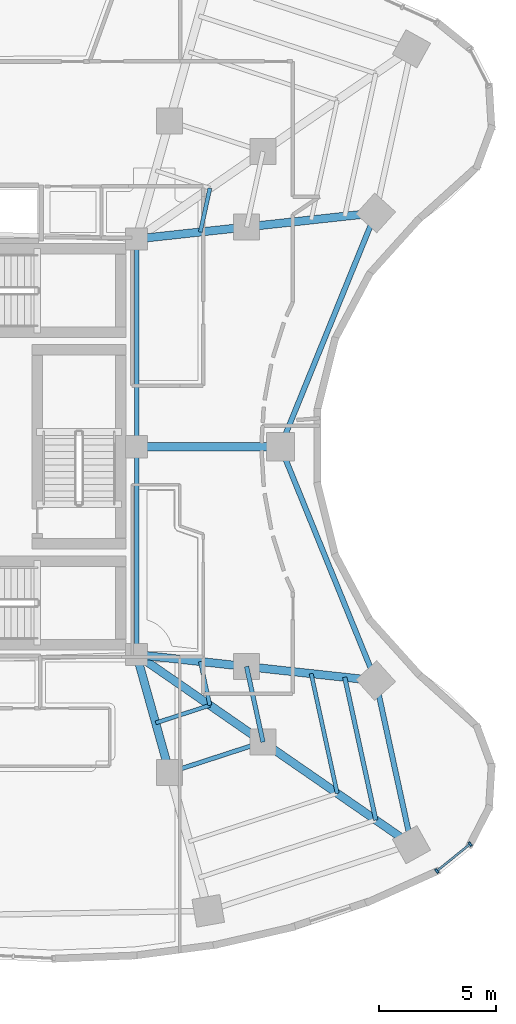
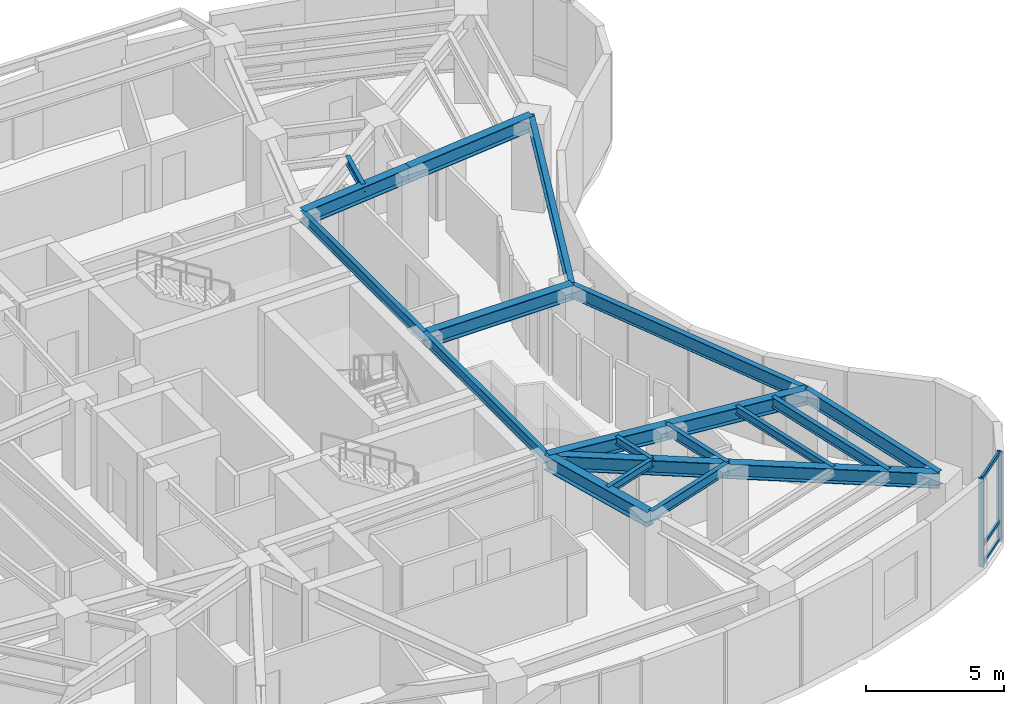
# One storey, part 4 of 15: 20 beams, 5 members, 1 element without a shape of its own.
"""IFC4 building model written with IfcOpenShell, lengths in metres."""

from ifc_helpers import new_model, si_unit, direction, frame, origin, origin_2d, place, context, subcontext, project, spatial, rectangle, i_section, extrude, material, layer, layer_set, material_profile, profile_set, type_object, element, aggregate, save


model = new_model("IFC4")

# Units and contexts
model_context = context("Model", 3, precision=1e-05, world=origin(), true_north=direction((0.0, 1.0)))
body_context = subcontext(model_context, "Body", "Model", "MODEL_VIEW")
ifc_project = project(units=[si_unit("LENGTHUNIT", "METRE"), si_unit("AREAUNIT", "SQUARE_METRE"), si_unit("VOLUMEUNIT", "CUBIC_METRE"), si_unit("PLANEANGLEUNIT", "RADIAN"), si_unit("MASSUNIT", "GRAM", prefix="KILO")], contexts=[model_context])

# Site, building, storey
site_placement = place(None, origin())
site = spatial("IfcSite", under=ifc_project, at=site_placement, CompositionType="ELEMENT")
building_placement = place(site_placement, origin())
building = spatial("IfcBuilding", under=site, at=building_placement, Name="Korentha Bioscience Tower", CompositionType="ELEMENT")
storey_placement = place(building_placement, frame((0.0, 0.0, 127.800048828125)))
storey = spatial("IfcBuildingStorey", under=building, at=storey_placement, Name="L29", CompositionType="ELEMENT", Elevation=127.800048828125)

# Beams
ifc_material_1 = material(Name="Steel S355", Category="steel")
ifc_material_profile_1 = material_profile(ifc_material_1, i_section(OverallWidth=0.18994140625, OverallDepth=0.45703125, WebThickness=0.009033203125, FlangeThickness=0.014404296875, at=origin_2d()), Name="Steel S355")
ifc_profile_set_1 = profile_set([ifc_material_profile_1], Name="Steel S355 (MB-460)")
beam_type_1 = type_object("IfcBeamType", Name="Mid-Ring Tie Girder W460x74", PredefinedType="BEAM", material=ifc_profile_set_1)
beam_1_placement = place(storey_placement, frame((38.954833984375, 13.129150390625, 3.67138671875), z_axis=(0.95087582253, 0.309572560361, 0.0), x_axis=(-0.309572560361, 0.95087582253, 0.0)))
element("IfcBeam", 1, at=beam_1_placement, inside=storey, type_object=beam_type_1, Name="L29 Mid-Ring Tie Girder 12", PredefinedType="BEAM", context=body_context, shape_type="SweptSolid", body=[
    extrude(i_section(OverallWidth=0.18994140625, OverallDepth=0.45703125, WebThickness=0.009033203125, FlangeThickness=0.014404296875, at=origin_2d()), origin(), (0.0, 0.0, 1.0), 4.186767578125),
])
beam_2_placement = place(storey_placement, frame((42.93603515625, 14.42529296875, 3.67138671875), z_axis=(-0.212928773299, 0.977067724112, 0.0), x_axis=(-0.977067724112, -0.212928773299, 0.0)))
element("IfcBeam", 2, at=beam_2_placement, inside=storey, type_object=beam_type_1, Name="L29 Mid-Ring Tie Girder 13", PredefinedType="BEAM", context=body_context, shape_type="SweptSolid", body=[
    extrude(i_section(OverallWidth=0.18994140625, OverallDepth=0.45703125, WebThickness=0.009033203125, FlangeThickness=0.014404296875, at=origin_2d()), origin(), (0.0, 0.0, 1.0), 3.28955078125),
])
for number, where, z_axis, x_axis, name in (
    (3, (37.550048828125, 18.14990234375, 3.67138671875), (0.0, 1.0, 0.0), (-1.0, 0.0, 0.0), "L29 Core Ring Tie Girder 06"),
    (4, (37.550048828125, 27.0, 3.67138671875), (0.0, 1.0, 0.0), (-1.0, 0.0, 0.0), "L29 Core Ring Tie Girder 07"),
):
    element("IfcBeam", number, at=place(storey_placement, frame(where, z_axis=z_axis, x_axis=x_axis)), inside=storey, type_object=beam_type_1, Name=name, PredefinedType="BEAM", context=body_context, shape_type="SweptSolid", body=[
        extrude(i_section(OverallWidth=0.18994140625, OverallDepth=0.45703125, WebThickness=0.009033203125, FlangeThickness=0.014404296875, at=origin_2d()), origin(), (0.0, 0.0, 1.0), 8.85009765625),
    ])

# Curtain wall, members
ifc_material_2 = material(Name="Thermally Broken Aluminium Frame", Category="aluminium")
ifc_layer = layer(ifc_material_2, 0.219970703125, Name="Thermally Broken Aluminium Frame")
ifc_layer_set = layer_set([ifc_layer], Name="Thermally Broken Aluminium Frame (CW-T1)")
curtain_wall_type = type_object("IfcCurtainWallType", Name="Standard Bioscience Lab Unitised Curtain Wall CW-T1", PredefinedType="USERDEFINED", material=ifc_layer_set)
curtain_wall_placement = place(storey_placement, origin())
curtain_wall = element("IfcCurtainWall", 5, at=curtain_wall_placement, inside=storey, type_object=curtain_wall_type, Name="L29 Curtain Wall 37", ObjectType="UNITISED", PredefinedType="USERDEFINED")
ifc_material_3 = material(Name="Anodised Aluminium 6063-T6", Category="aluminium")
ifc_material_profile_2 = material_profile(ifc_material_3, rectangle(XDim=0.090087890625, YDim=0.199951171875, at=origin_2d()), Name="Anodised Aluminium 6063-T6")
ifc_profile_set_2 = profile_set([ifc_material_profile_2], Name="Anodised Aluminium 6063-T6 (CW-MUL)")
member_type_1 = type_object("IfcMemberType", Name="Mullion RECT 90x200", PredefinedType="MULLION", material=ifc_profile_set_2)
member_1_placement = place(storey_placement, frame((50.337158203125, 8.931884765625, 0.0), z_axis=(0.0, 0.0, 1.0), x_axis=(0.777315301098, 0.629111216463, 0.0)))
member_1 = element("IfcMember", 6, at=member_1_placement, type_object=member_type_1, Name="CW-L29-37 Mullion 1", PredefinedType="MULLION", context=body_context, shape_type="SweptSolid", body=[
    extrude(rectangle(XDim=0.090087890625, YDim=0.199951171875, at=origin_2d()), origin(), (0.0, 0.0, 1.0), 3.89990234375),
])
member_2_placement = place(storey_placement, frame((51.7578125, 10.08154296875, 0.0), z_axis=(0.0, 0.0, 1.0), x_axis=(0.777315301098, 0.629111216463, 0.0)))
member_2 = element("IfcMember", 7, at=member_2_placement, type_object=member_type_1, Name="CW-L29-37 Mullion 2", PredefinedType="MULLION", context=body_context, shape_type="SweptSolid", body=[
    extrude(rectangle(XDim=0.090087890625, YDim=0.199951171875, at=origin_2d()), origin(), (0.0, 0.0, 1.0), 3.89990234375),
])

# Beams
ifc_material_profile_3 = material_profile(ifc_material_1, i_section(OverallWidth=0.22802734375, OverallDepth=0.60791015625, WebThickness=0.01123046875, FlangeThickness=0.017333984375, at=origin_2d()), Name="Steel S355")
ifc_profile_set_3 = profile_set([ifc_material_profile_3], Name="Steel S355 (SB-610)")
beam_type_2 = type_object("IfcBeamType", Name="Perimeter Ring Spandrel Girder W610x113", PredefinedType="SPANDREL", material=ifc_profile_set_3)
beam_3_placement = place(storey_placement, frame((49.2587890625, 10.052978515625, 3.595947265625), z_axis=(-0.212927102256, 0.977068088275, 0.0), x_axis=(-0.977068088275, -0.212927102256, 0.0)))
element("IfcBeam", 8, at=beam_3_placement, inside=storey, type_object=beam_type_2, Name="L29 Perimeter Spandrel Girder 13", PredefinedType="SPANDREL", context=body_context, shape_type="SweptSolid", body=[
    extrude(i_section(OverallWidth=0.22802734375, OverallDepth=0.60791015625, WebThickness=0.01123046875, FlangeThickness=0.017333984375, at=origin_2d()), origin(), (0.0, 0.0, 1.0), 7.1513671875),
])
for number, where, z_axis, x_axis, name in (
    (9, (47.736083984375, 17.040283203125, 3.595947265625), (-0.37709856037, 0.926173134876, 0.0), (-0.926173134876, -0.37709856037, 0.0), "L29 Perimeter Spandrel Girder 14"),
    (10, (43.680908203125, 27.0, 3.595947265625), (0.37709856037, 0.926173134876, 0.0), (-0.926173134876, 0.37709856037, 0.0), "L29 Perimeter Spandrel Girder 15"),
):
    element("IfcBeam", number, at=place(storey_placement, frame(where, z_axis=z_axis, x_axis=x_axis)), inside=storey, type_object=beam_type_2, Name=name, PredefinedType="SPANDREL", context=body_context, shape_type="SweptSolid", body=[
        extrude(i_section(OverallWidth=0.22802734375, OverallDepth=0.60791015625, WebThickness=0.01123046875, FlangeThickness=0.017333984375, at=origin_2d()), origin(), (0.0, 0.0, 1.0), 10.753662109375),
    ])
ifc_material_profile_4 = material_profile(ifc_material_1, i_section(OverallWidth=0.18994140625, OverallDepth=0.45703125, WebThickness=0.009033203125, FlangeThickness=0.014404296875, at=origin_2d()), Name="Steel S355")
ifc_profile_set_4 = profile_set([ifc_material_profile_4], Name="Steel S355 (RB-460)")
beam_type_3 = type_object("IfcBeamType", Name="Radial Laboratory Beam W460x74", PredefinedType="BEAM", material=ifc_profile_set_4)
beam_4_placement = place(storey_placement, frame((47.7412109375, 11.1025390625, 3.67138671875), z_axis=(-0.21290837934, 0.977072168269, 0.0), x_axis=(-0.977072168269, -0.21290837934, 0.0)))
element("IfcBeam", 11, at=beam_4_placement, inside=storey, type_object=beam_type_3, Name="L29 Secondary Floor Beam JSTO-13", PredefinedType="BEAM", context=body_context, shape_type="SweptSolid", body=[
    extrude(i_section(OverallWidth=0.18994140625, OverallDepth=0.45703125, WebThickness=0.009033203125, FlangeThickness=0.014404296875, at=origin_2d()), origin(), (0.0, 0.0, 1.0), 6.224365234375),
])
ifc_material_profile_5 = material_profile(ifc_material_1, i_section(OverallWidth=0.35009765625, OverallDepth=0.64990234375, WebThickness=0.01611328125, FlangeThickness=0.02490234375, at=origin_2d()), Name="Steel S355")
ifc_profile_set_5 = profile_set([ifc_material_profile_5], Name="Steel S355 (RB-650)")
beam_type_4 = type_object("IfcBeamType", Name="Radial Laboratory Girder CVS 650x208", PredefinedType="BEAM", material=ifc_profile_set_5)
beam_5_placement = place(storey_placement, frame((37.550048828125, 18.14990234375, 3.574951171875), z_axis=(0.269447542125, -0.96301506844, 0.0), x_axis=(0.96301506844, 0.269447542125, 0.0)))
element("IfcBeam", 12, at=beam_5_placement, inside=storey, type_object=beam_type_4, Name="L29 Inner Radial Girder 12", PredefinedType="BEAM", context=body_context, shape_type="SweptSolid", body=[
    extrude(i_section(OverallWidth=0.35009765625, OverallDepth=0.64990234375, WebThickness=0.01611328125, FlangeThickness=0.02490234375, at=origin_2d()), origin(), (0.0, 0.0, 1.0), 5.213623046875),
])
beam_6_placement = place(storey_placement, frame((37.550048828125, 18.14990234375, 3.574951171875), z_axis=(0.822488699387, -0.568781451333, 0.0), x_axis=(0.568781451333, 0.822488699387, 0.0)))
element("IfcBeam", 13, at=beam_6_placement, inside=storey, type_object=beam_type_4, Name="L29 Inner Radial Girder 13", PredefinedType="BEAM", context=body_context, shape_type="SweptSolid", body=[
    extrude(i_section(OverallWidth=0.35009765625, OverallDepth=0.64990234375, WebThickness=0.01611328125, FlangeThickness=0.02490234375, at=origin_2d()), origin(), (0.0, 0.0, 1.0), 6.54833984375),
])
beam_7_placement = place(storey_placement, frame((42.93603515625, 14.42529296875, 3.574951171875), z_axis=(0.822495056204, -0.568772258922, 0.0), x_axis=(0.568772258922, 0.822495056204, 0.0)))
element("IfcBeam", 14, at=beam_7_placement, inside=storey, type_object=beam_type_4, Name="L29 Outer Radial Girder 13", PredefinedType="BEAM", context=body_context, shape_type="SweptSolid", body=[
    extrude(i_section(OverallWidth=0.35009765625, OverallDepth=0.64990234375, WebThickness=0.01611328125, FlangeThickness=0.02490234375, at=origin_2d()), origin(), (0.0, 0.0, 1.0), 7.687255859375),
])
beam_8_placement = place(storey_placement, frame((37.550048828125, 18.14990234375, 3.574951171875), z_axis=(0.994117092476, -0.108310694058, 0.0), x_axis=(0.108310694058, 0.994117092476, 0.0)))
element("IfcBeam", 15, at=beam_8_placement, inside=storey, type_object=beam_type_4, Name="L29 Inner Radial Girder 14", PredefinedType="BEAM", context=body_context, shape_type="SweptSolid", body=[
    extrude(i_section(OverallWidth=0.35009765625, OverallDepth=0.64990234375, WebThickness=0.01611328125, FlangeThickness=0.02490234375, at=origin_2d()), origin(), (0.0, 0.0, 1.0), 4.71337890625),
])
beam_9_placement = place(storey_placement, frame((42.235595703125, 17.639404296875, 3.574951171875), z_axis=(0.994120325557, -0.108281015487, 0.0), x_axis=(0.108281015487, 0.994120325557, 0.0)))
element("IfcBeam", 16, at=beam_9_placement, inside=storey, type_object=beam_type_4, Name="L29 Outer Radial Girder 14", PredefinedType="BEAM", context=body_context, shape_type="SweptSolid", body=[
    extrude(i_section(OverallWidth=0.35009765625, OverallDepth=0.64990234375, WebThickness=0.01611328125, FlangeThickness=0.02490234375, at=origin_2d()), origin(), (0.0, 0.0, 1.0), 5.532958984375),
])
beam_10_placement = place(storey_placement, frame((37.550048828125, 27.0, 3.574951171875), z_axis=(1.0, 0.0, 0.0), x_axis=(0.0, 1.0, 0.0)))
element("IfcBeam", 17, at=beam_10_placement, inside=storey, type_object=beam_type_4, Name="L29 Radial Girder 15", PredefinedType="BEAM", context=body_context, shape_type="SweptSolid", body=[
    extrude(i_section(OverallWidth=0.35009765625, OverallDepth=0.64990234375, WebThickness=0.01611328125, FlangeThickness=0.02490234375, at=origin_2d()), origin(), (0.0, 0.0, 1.0), 6.130859375),
])
beam_11_placement = place(storey_placement, frame((37.550048828125, 35.85009765625, 3.574951171875), z_axis=(0.994117092476, 0.108310694058, 0.0), x_axis=(-0.108310694058, 0.994117092476, 0.0)))
element("IfcBeam", 18, at=beam_11_placement, inside=storey, type_object=beam_type_4, Name="L29 Inner Radial Girder 16", PredefinedType="BEAM", context=body_context, shape_type="SweptSolid", body=[
    extrude(i_section(OverallWidth=0.35009765625, OverallDepth=0.64990234375, WebThickness=0.01611328125, FlangeThickness=0.02490234375, at=origin_2d()), origin(), (0.0, 0.0, 1.0), 4.71337890625),
])
beam_12_placement = place(storey_placement, frame((42.235595703125, 36.360595703125, 3.574951171875), z_axis=(0.994120325557, 0.108281015487, 0.0), x_axis=(-0.108281015487, 0.994120325557, 0.0)))
element("IfcBeam", 19, at=beam_12_placement, inside=storey, type_object=beam_type_4, Name="L29 Outer Radial Girder 16", PredefinedType="BEAM", context=body_context, shape_type="SweptSolid", body=[
    extrude(i_section(OverallWidth=0.35009765625, OverallDepth=0.64990234375, WebThickness=0.01611328125, FlangeThickness=0.02490234375, at=origin_2d()), origin(), (0.0, 0.0, 1.0), 5.532958984375),
])
ifc_material_profile_6 = material_profile(ifc_material_1, i_section(OverallWidth=0.1708984375, OverallDepth=0.35498046875, WebThickness=0.007080078125, FlangeThickness=0.01171875, at=origin_2d()), Name="Steel S355")
ifc_profile_set_6 = profile_set([ifc_material_profile_6], Name="Steel S355 (JB-360)")
beam_type_5 = type_object("IfcBeamType", Name="Secondary Laboratory Joist W360x51", PredefinedType="JOIST", material=ifc_profile_set_6)
beam_13_placement = place(storey_placement, frame((38.36474609375, 15.23779296875, 3.722412109375), z_axis=(0.950852158547, 0.30964523666, 0.0), x_axis=(-0.30964523666, 0.950852158547, 0.0)))
element("IfcBeam", 20, at=beam_13_placement, inside=storey, type_object=beam_type_5, Name="L29 Inner Bay Joist 12", PredefinedType="JOIST", context=body_context, shape_type="SweptSolid", body=[
    extrude(i_section(OverallWidth=0.1708984375, OverallDepth=0.35498046875, WebThickness=0.007080078125, FlangeThickness=0.01171875, at=origin_2d()), origin(), (0.0, 0.0, 1.0), 2.428466796875),
])
beam_14_placement = place(storey_placement, frame((46.097412109375, 12.2392578125, 3.722412109375), z_axis=(-0.212932493609, 0.977066913351, 0.0), x_axis=(-0.977066913351, -0.212932493609, 0.0)))
element("IfcBeam", 21, at=beam_14_placement, inside=storey, type_object=beam_type_5, Name="L29 Secondary Floor Beam JST-13", PredefinedType="JOIST", context=body_context, shape_type="SweptSolid", body=[
    extrude(i_section(OverallWidth=0.1708984375, OverallDepth=0.35498046875, WebThickness=0.007080078125, FlangeThickness=0.01171875, at=origin_2d()), origin(), (0.0, 0.0, 1.0), 5.22021484375),
])
for number, where, z_axis, x_axis, name in (
    (22, (40.673828125, 15.98974609375, 3.722412109375), (-0.212918344001, 0.977069996872, 0.0), (-0.977069996872, -0.212918344001, 0.0), "L29 Inner Bay Joist 13"),
    (23, (40.267578125, 36.14599609375, 3.722412109375), (0.212918344001, 0.977069996872, 0.0), (-0.977069996872, 0.212918344001, 0.0), "L29 Inner Bay Joist 16"),
):
    element("IfcBeam", number, at=place(storey_placement, frame(where, z_axis=z_axis, x_axis=x_axis)), inside=storey, type_object=beam_type_5, Name=name, PredefinedType="JOIST", context=body_context, shape_type="SweptSolid", body=[
        extrude(i_section(OverallWidth=0.1708984375, OverallDepth=0.35498046875, WebThickness=0.007080078125, FlangeThickness=0.01171875, at=origin_2d()), origin(), (0.0, 0.0, 1.0), 1.907958984375),
    ])

# Member
ifc_material_profile_7 = material_profile(ifc_material_3, rectangle(XDim=0.090087890625, YDim=0.159912109375, at=origin_2d()), Name="Anodised Aluminium 6063-T6")
ifc_profile_set_7 = profile_set([ifc_material_profile_7], Name="Anodised Aluminium 6063-T6 (CW-TRN)")
member_type_2 = type_object("IfcMemberType", Name="Transom RECT 90x160", PredefinedType="USERDEFINED", material=ifc_profile_set_7)
member_3_placement = place(storey_placement, frame((50.3720703125, 8.960205078125, 0.044921875), z_axis=(0.777333214738, 0.629089082137, 0.0), x_axis=(-0.629089082137, 0.777333214738, 0.0)))
member_3 = element("IfcMember", 24, at=member_3_placement, type_object=member_type_2, Name="CW-L29-37 Bay 1 Transom 1", ObjectType="TRANSOM", PredefinedType="USERDEFINED", context=body_context, shape_type="SweptSolid", body=[
    extrude(rectangle(XDim=0.090087890625, YDim=0.159912109375, at=origin_2d()), origin(), (0.0, 0.0, 1.0), 1.737548828125),
])

member_4_placement = place(storey_placement, frame((50.3720703125, 8.960205078125, 0.849853515625), z_axis=(0.777333214738, 0.629089082137, 0.0), x_axis=(-0.629089082137, 0.777333214738, 0.0)))
member_4 = element("IfcMember", 25, at=member_4_placement, type_object=member_type_2, Name="CW-L29-37 Bay 1 Transom 2", ObjectType="TRANSOM", PredefinedType="USERDEFINED", context=body_context, shape_type="SweptSolid", body=[
    extrude(rectangle(XDim=0.090087890625, YDim=0.159912109375, at=origin_2d()), origin(), (0.0, 0.0, 1.0), 1.737548828125),
])

member_5_placement = place(storey_placement, frame((50.3720703125, 8.960205078125, 3.85498046875), z_axis=(0.777333214738, 0.629089082137, 0.0), x_axis=(-0.629089082137, 0.777333214738, 0.0)))
member_5 = element("IfcMember", 26, at=member_5_placement, type_object=member_type_2, Name="CW-L29-37 Bay 1 Transom 3", ObjectType="TRANSOM", PredefinedType="USERDEFINED", context=body_context, shape_type="SweptSolid", body=[
    extrude(rectangle(XDim=0.090087890625, YDim=0.159912109375, at=origin_2d()), origin(), (0.0, 0.0, 1.0), 1.737548828125),
])

aggregate(curtain_wall, [member_1, member_2, member_3, member_4, member_5])

save(model, "model.ifc")
